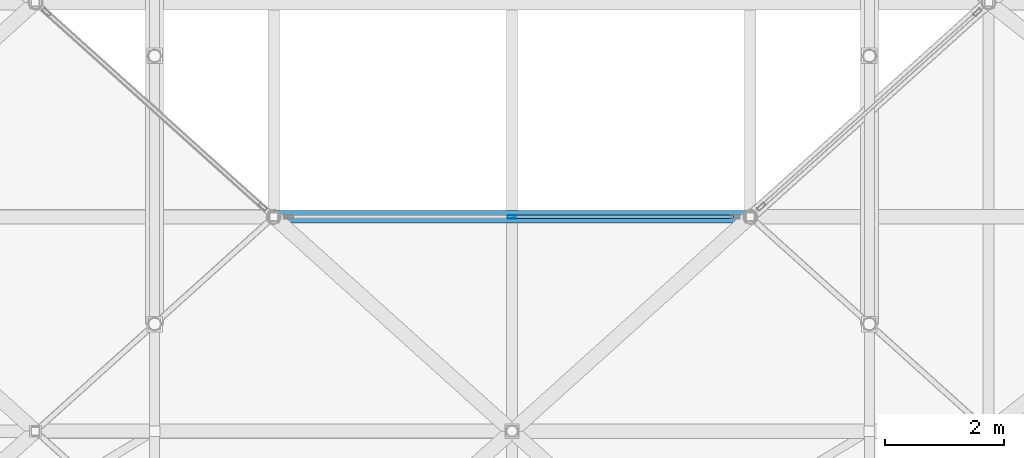
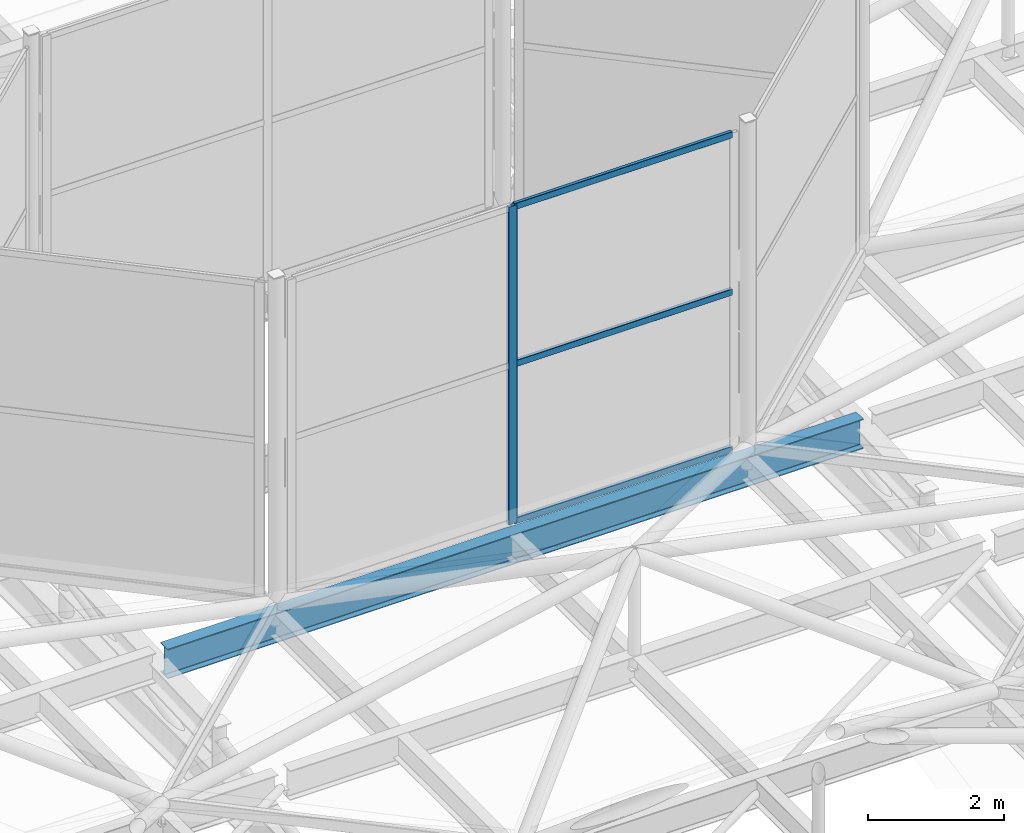
# One storey, part 39 of 239: 4 members, 1 beam, 1 element without a shape of its own.
"""IFC4 building model written with IfcOpenShell, lengths in metres."""

from ifc_helpers import new_model, si_unit, direction, frame, origin, origin_2d, place, context, subcontext, project, spatial, hollow_rectangle, i_section, extrude, material, layer, layer_set, material_profile, profile_set, type_object, element, aggregate, save


model = new_model("IFC4")

# Units and contexts
model_context = context("Model", 3, precision=1e-05, world=origin(), true_north=direction((0.0, 1.0)))
body_context = subcontext(model_context, "Body", "Model", "MODEL_VIEW")
ifc_project = project(units=[si_unit("LENGTHUNIT", "METRE"), si_unit("AREAUNIT", "SQUARE_METRE"), si_unit("VOLUMEUNIT", "CUBIC_METRE"), si_unit("PLANEANGLEUNIT", "RADIAN"), si_unit("MASSUNIT", "GRAM", prefix="KILO")], contexts=[model_context])

# Site, building, storey
site_placement = place(None, origin())
site = spatial("IfcSite", under=ifc_project, at=site_placement, CompositionType="ELEMENT")
building_placement = place(site_placement, origin())
building = spatial("IfcBuilding", under=site, at=building_placement, Name="Dunvalen Ferry Terminal", CompositionType="ELEMENT")
storey_placement = place(building_placement, frame((0.0, 0.0, 9.840087890625)))
storey = spatial("IfcBuildingStorey", under=building, at=storey_placement, Name="L02", CompositionType="ELEMENT", Elevation=9.840087890625)

# Curtain wall, members
ifc_material_1 = material(Name="Anodised marine aluminium and solar-control glazing", Category="aluminium")
ifc_layer = layer(ifc_material_1, 0.179931640625, Name="Anodised marine aluminium and solar-control glazing")
ifc_layer_set = layer_set([ifc_layer], Name="Anodised marine aluminium and solar-control glazing")
curtain_wall_type = type_object("IfcCurtainWallType", Name="ENV-CW-SYS-06", PredefinedType="NOTDEFINED", material=ifc_layer_set)
curtain_wall_placement = place(storey_placement, origin())
curtain_wall = element("IfcCurtainWall", 1, at=curtain_wall_placement, inside=storey, type_object=curtain_wall_type, Name="L02 Curtain Wall CW-HEX-36-SK-2", PredefinedType="NOTDEFINED")
ifc_material_2 = material(Name="Anodised marine aluminium EN AW-6063 T6", Category="aluminium")
ifc_material_profile_1 = material_profile(ifc_material_2, hollow_rectangle(XDim=0.06005859375, YDim=0.14990234375, WallThickness=0.00341796875, InnerFilletRadius=0.00341796875, OuterFilletRadius=0.007080078125, at=origin_2d()), Name="Anodised marine aluminium EN AW-6063 T6")
ifc_profile_set_1 = profile_set([ifc_material_profile_1], Name="Anodised marine aluminium EN AW-6063 T6")
member_type_1 = type_object("IfcMemberType", Name="ENV-CW-MUL-3", PredefinedType="MULLION", material=ifc_profile_set_1)
member_1_placement = place(storey_placement, frame((78.0, 61.199951171875, 1.139892578125), z_axis=(0.0, 0.0, 1.0), x_axis=(0.0, 1.0, 0.0)))
member_1 = element("IfcMember", 2, at=member_1_placement, type_object=member_type_1, Name="CW-06 mullion 2", PredefinedType="MULLION", context=body_context, shape_type="SweptSolid", body=[
    extrude(hollow_rectangle(XDim=0.06005859375, YDim=0.14990234375, WallThickness=0.00341796875, InnerFilletRadius=0.00341796875, OuterFilletRadius=0.007080078125, at=origin_2d()), origin(), (0.0, 0.0, 1.0), 5.699951171875),
])
ifc_material_profile_2 = material_profile(ifc_material_2, hollow_rectangle(XDim=0.06005859375, YDim=0.114990234375, WallThickness=0.0029296875, InnerFilletRadius=0.0029296875, OuterFilletRadius=0.006103515625, at=origin_2d()), Name="Anodised marine aluminium EN AW-6063 T6")
ifc_profile_set_2 = profile_set([ifc_material_profile_2], Name="Anodised marine aluminium EN AW-6063 T6")
member_type_2 = type_object("IfcMemberType", Name="ENV-CW-TRN-3", PredefinedType="USERDEFINED", material=ifc_profile_set_2)
member_2_placement = place(storey_placement, frame((78.030029296875, 61.199951171875, 1.169921875), z_axis=(1.0, 0.0, 0.0), x_axis=(0.0, 1.0, 0.0)))
member_2 = element("IfcMember", 3, at=member_2_placement, type_object=member_type_2, Name="CW-06 transom 2.1", ObjectType="TRANSOM", PredefinedType="USERDEFINED", context=body_context, shape_type="SweptSolid", body=[
    extrude(hollow_rectangle(XDim=0.06005859375, YDim=0.114990234375, WallThickness=0.0029296875, InnerFilletRadius=0.0029296875, OuterFilletRadius=0.006103515625, at=origin_2d()), origin(), (0.0, 0.0, 1.0), 3.68994140625),
])
member_3_placement = place(storey_placement, frame((78.030029296875, 61.199951171875, 3.989990234375), z_axis=(1.0, 0.0, 0.0), x_axis=(0.0, 1.0, 0.0)))
member_3 = element("IfcMember", 4, at=member_3_placement, type_object=member_type_2, Name="CW-06 transom 2.2", ObjectType="TRANSOM", PredefinedType="USERDEFINED", context=body_context, shape_type="SweptSolid", body=[
    extrude(hollow_rectangle(XDim=0.06005859375, YDim=0.114990234375, WallThickness=0.0029296875, InnerFilletRadius=0.0029296875, OuterFilletRadius=0.006103515625, at=origin_2d()), origin(), (0.0, 0.0, 1.0), 3.68994140625),
])
member_4_placement = place(storey_placement, frame((78.030029296875, 61.199951171875, 6.809814453125), z_axis=(1.0, 0.0, 0.0), x_axis=(0.0, 1.0, 0.0)))
member_4 = element("IfcMember", 5, at=member_4_placement, type_object=member_type_2, Name="CW-06 transom 2.3", ObjectType="TRANSOM", PredefinedType="USERDEFINED", context=body_context, shape_type="SweptSolid", body=[
    extrude(hollow_rectangle(XDim=0.06005859375, YDim=0.114990234375, WallThickness=0.0029296875, InnerFilletRadius=0.0029296875, OuterFilletRadius=0.006103515625, at=origin_2d()), origin(), (0.0, 0.0, 1.0), 3.68994140625),
])
aggregate(curtain_wall, [member_1, member_2, member_3, member_4])

# Beam
ifc_material_3 = material(Name="Steel S355", Category="steel")
ifc_material_profile_3 = material_profile(ifc_material_3, i_section(OverallWidth=0.209228515625, OverallDepth=0.533203125, WebThickness=0.010009765625, FlangeThickness=0.015625, FilletRadius=0.0126953125, at=origin_2d()), Name="Steel S355")
ifc_profile_set_3 = profile_set([ifc_material_profile_3], Name="Steel S355")
beam_type = type_object("IfcBeamType", Name="STR-BM-UKB533", PredefinedType="BEAM", material=ifc_profile_set_3)
beam_placement = place(storey_placement, frame((72.10009765625, 61.199951171875, 0.7333984375), z_axis=(1.0, 0.0, 0.0), x_axis=(0.0, 1.0, 0.0)))
element("IfcBeam", 6, at=beam_placement, inside=storey, type_object=beam_type, Name="Departure Hall Spine Girder B6.04", PredefinedType="BEAM", context=body_context, shape_type="SweptSolid", body=[
    extrude(i_section(OverallWidth=0.209228515625, OverallDepth=0.533203125, WebThickness=0.010009765625, FlangeThickness=0.015625, FilletRadius=0.0126953125, at=origin_2d()), origin(), (0.0, 0.0, 1.0), 11.7998046875),
])

save(model, "model.ifc")
